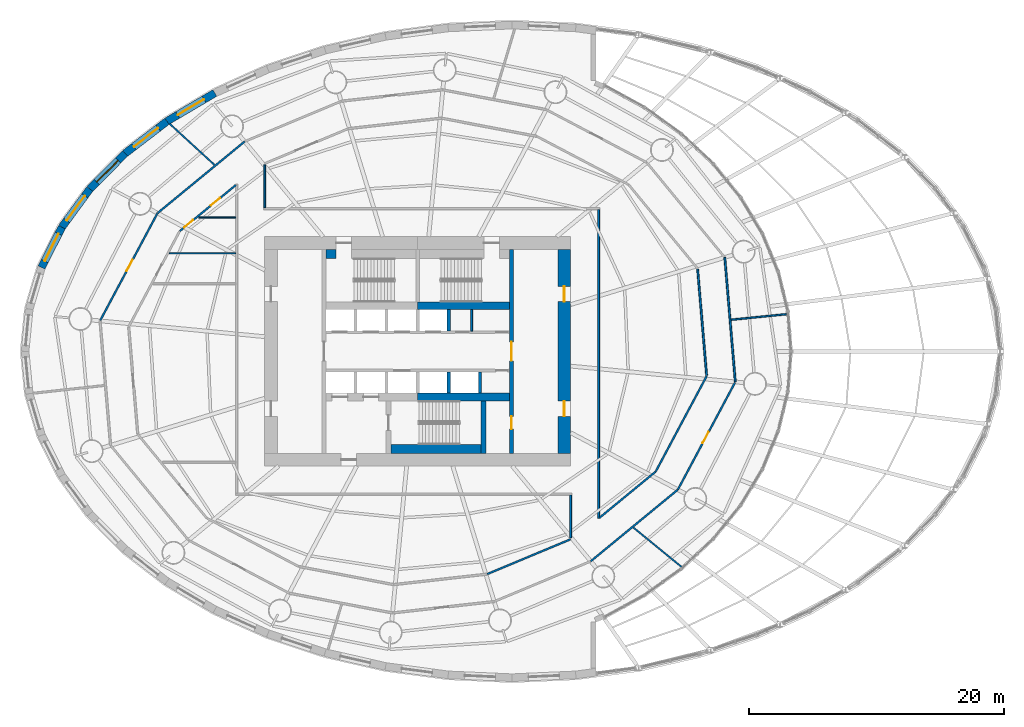
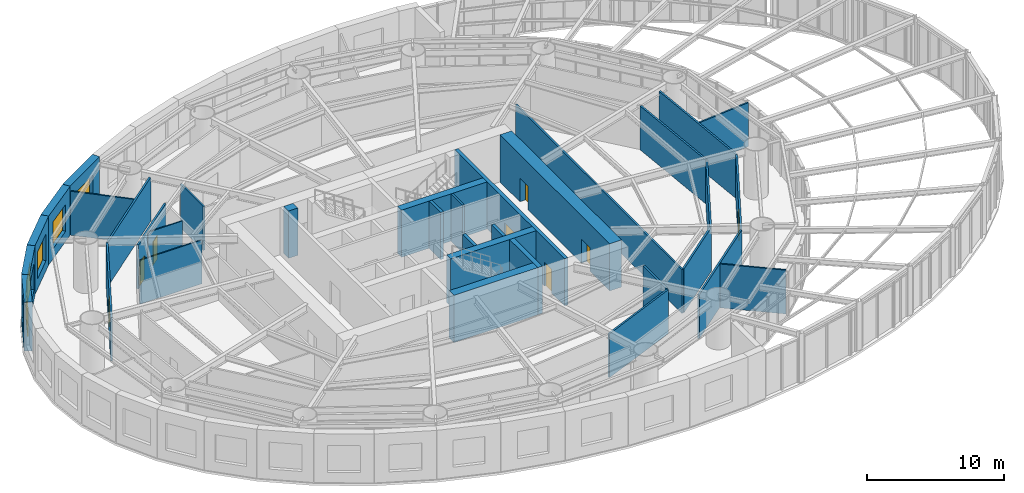
# One storey, part 20 of 23: 34 walls, 8 doors, 5 windows, 13 openings.
"""IFC4 building model written with IfcOpenShell, lengths in metres."""

from ifc_helpers import new_model, si_unit, direction, frame, frame_2d, origin, place, context, subcontext, project, spatial, rectangle, extrude, material, layer, layer_set, type_object, element, fill, save


model = new_model("IFC4")

# Units and contexts
model_context = context("Model", 3, precision=1e-05, world=origin(), true_north=direction((0.0, 1.0)))
body_context = subcontext(model_context, "Body", "Model", "MODEL_VIEW")
ifc_project = project(units=[si_unit("LENGTHUNIT", "METRE"), si_unit("AREAUNIT", "SQUARE_METRE"), si_unit("VOLUMEUNIT", "CUBIC_METRE"), si_unit("PLANEANGLEUNIT", "RADIAN"), si_unit("MASSUNIT", "GRAM", prefix="KILO")], contexts=[model_context])

# Site, building, storey
site_placement = place(None, origin())
site = spatial("IfcSite", under=ifc_project, at=site_placement, CompositionType="ELEMENT")
building_placement = place(site_placement, origin())
building = spatial("IfcBuilding", under=site, at=building_placement, Name="Vermilion Reach Broadcast Tower", CompositionType="ELEMENT")
storey_placement = place(building_placement, frame((0.0, 0.0, 31.5)))
storey = spatial("IfcBuildingStorey", under=building, at=storey_placement, Name="L04", CompositionType="ELEMENT", Elevation=31.5)

# Wall, openings, doors
ifc_material_1 = material(Name="Concrete C70", Category="concrete")
ifc_layer_1 = layer(ifc_material_1, 0.300048828125)
ifc_layer_set_1 = layer_set([ifc_layer_1], Name="Core inner wall 300 mm Concrete C70")
wall_type_1 = type_object("IfcWallType", Name="Core inner wall 300 mm Concrete C70", PredefinedType="SHEAR", material=ifc_layer_set_1)
wall_1_placement = place(storey_placement, frame((1.35009765625, -8.0, 0.0), z_axis=(0.0, 0.0, 1.0), x_axis=(0.0, 1.0, 0.0)))
wall_1 = element("IfcWall", 1, at=wall_1_placement, inside=storey, type_object=wall_type_1, Name="L04 core wall ewE", PredefinedType="SHEAR", context=body_context, shape_type="SweptSolid", body=[
    extrude(rectangle(XDim=16.0, YDim=0.300048828125, at=frame_2d((8.0, 0.0))), origin(), (0.0, 0.0, 1.0), 4.199951171875),
])
opening_1_placement = place(wall_1_placement, frame((1.909912109375, 0.0, 0.0)))
opening_1 = element("IfcOpeningElement", 2, at=opening_1_placement, cuts=wall_1, Name="Opening D05", PredefinedType="OPENING", context=body_context, shape_type="SweptSolid", body=[
    extrude(rectangle(XDim=1.0, YDim=2.10009765625, at=frame_2d((0.5, 1.050048828125))), frame((0.0, 0.159912109375, 0.0), z_axis=(0.0, -1.0, 0.0), x_axis=(1.0, 0.0, 0.0)), (0.0, 0.0, 1.0), 0.320068359375),
])
opening_2_placement = place(wall_1_placement, frame((7.25, 0.0, 0.0)))
opening_2 = element("IfcOpeningElement", 3, at=opening_2_placement, cuts=wall_1, Name="Opening D04", PredefinedType="OPENING", context=body_context, shape_type="SweptSolid", body=[
    extrude(rectangle(XDim=1.5, YDim=2.10009765625, at=frame_2d((0.75, 1.050048828125))), frame((0.0, 0.159912109375, 0.0), z_axis=(0.0, -1.0, 0.0), x_axis=(1.0, 0.0, 0.0)), (0.0, 0.0, 1.0), 0.320068359375),
])
ifc_material_2 = material(Name="Painted steel fire door", Category="steel")
door_type_1 = type_object("IfcDoorType", Name="Lift lobby door 1500 x 2100", OperationType="DOUBLE_DOOR_SINGLE_SWING", PredefinedType="NOTDEFINED", material=ifc_material_2)
door_1_placement = place(opening_2_placement, origin())
door_1 = element("IfcDoor", 4, at=door_1_placement, inside=storey, type_object=door_type_1, Name="L04 band door BE", OperationType="DOUBLE_DOOR_SINGLE_SWING", OverallHeight=2.10009765625, OverallWidth=1.5, PredefinedType="NOTDEFINED", context=body_context, shape_type="SweptSolid", body=[
    extrude(rectangle(XDim=1.5, YDim=2.10009765625, at=frame_2d((0.75, 1.050048828125))), frame((0.0, 0.02490234375, 0.0), z_axis=(0.0, -1.0, 0.0), x_axis=(1.0, 0.0, 0.0)), (0.0, 0.0, 1.0), 0.050048828125),
])
fill(opening_2, door_1)
ifc_material_3 = material(Name="Timber door", Category="wood")
door_type_2 = type_object("IfcDoorType", Name="Room door 1000 x 2100", OperationType="NOTDEFINED", PredefinedType="NOTDEFINED", material=ifc_material_3)
door_2_placement = place(opening_1_placement, origin())
door_2 = element("IfcDoor", 5, at=door_2_placement, inside=storey, type_object=door_type_2, Name="L04 door SER", OperationType="SINGLE_SWING_LEFT", OverallHeight=2.10009765625, OverallWidth=1.0, PredefinedType="NOTDEFINED", context=body_context, shape_type="SweptSolid", body=[
    extrude(rectangle(XDim=1.0, YDim=2.10009765625, at=frame_2d((0.5, 1.050048828125))), frame((0.0, 0.02490234375, 0.0), z_axis=(0.0, -1.0, 0.0), x_axis=(1.0, 0.0, 0.0)), (0.0, 0.0, 1.0), 0.050048828125),
])
fill(opening_1, door_2)

# Walls
ifc_material_4 = material(Name="Concrete C70", Category="concrete")
ifc_layer_2 = layer(ifc_material_4, 0.39990234375)
ifc_layer_set_2 = layer_set([ifc_layer_2], Name="Core inner wall 400 mm Concrete C70")
wall_type_2 = type_object("IfcWallType", Name="Core inner wall 400 mm Concrete C70", PredefinedType="SHEAR", material=ifc_layer_set_2)
wall_2_placement = place(storey_placement, frame((-0.85009765625, -3.8798828125, 0.0), z_axis=(0.0, 0.0, 1.0), x_axis=(0.0, -1.0, 0.0)))
element("IfcWall", 6, at=wall_2_placement, inside=storey, type_object=wall_type_2, Name="L04 core wall wb", PredefinedType="SHEAR", context=body_context, shape_type="SweptSolid", body=[
    extrude(rectangle(XDim=4.1201171875, YDim=0.39990234375, at=frame_2d((2.06005859375, 0.0))), origin(), (0.0, 0.0, 1.0), 4.199951171875),
])
ifc_material_5 = material(Name="Concrete C70", Category="concrete")
ifc_layer_3 = layer(ifc_material_5, 0.60009765625)
ifc_layer_set_3 = layer_set([ifc_layer_3], Name="Core inner wall 600 mm Concrete C70")
wall_type_3 = type_object("IfcWallType", Name="Core inner wall 600 mm Concrete C70", PredefinedType="SHEAR", material=ifc_layer_set_3)
for number, where, z_axis, x_axis, name in (
    (7, (-6.0, 3.580078125, 0.0), (0.0, 0.0, 1.0), (1.0, 0.0, 0.0), "L04 core wall winE"),
    (8, (-6.0, -3.580078125, 0.0), (0.0, 0.0, 1.0), (1.0, 0.0, 0.0), "L04 core wall wisE"),
):
    element("IfcWall", number, at=place(storey_placement, frame(where, z_axis=z_axis, x_axis=x_axis)), inside=storey, type_object=wall_type_3, Name=name, PredefinedType="SHEAR", context=body_context, shape_type="SweptSolid", body=[
        extrude(rectangle(XDim=7.199951171875, YDim=0.60009765625, at=frame_2d((3.60009765625, 0.0))), origin(), (0.0, 0.0, 1.0), 4.199951171875),
    ])

# Wall, openings, doors
ifc_material_6 = material(Name="Concrete C70", Category="concrete")
ifc_layer_4 = layer(ifc_material_6, 1.0)
ifc_layer_set_4 = layer_set([ifc_layer_4], Name="Core outer wall 1000 mm Concrete C70")
wall_type_4 = type_object("IfcWallType", Name="Core outer wall 1000 mm Concrete C70", PredefinedType="SHEAR", material=ifc_layer_set_4)
wall_3_placement = place(storey_placement, frame((5.5, -8.0, 0.0), z_axis=(0.0, 0.0, 1.0), x_axis=(0.0, 1.0, 0.0)))
wall_3 = element("IfcWall", 9, at=wall_3_placement, inside=storey, type_object=wall_type_4, Name="L04 core wall oe", PredefinedType="SHEAR", context=body_context, shape_type="SweptSolid", body=[
    extrude(rectangle(XDim=16.0, YDim=1.0, at=frame_2d((8.0, 0.0))), origin(), (0.0, 0.0, 1.0), 4.199951171875),
])
opening_3_placement = place(wall_3_placement, frame((2.89990234375, 0.0, 0.0)))
opening_3 = element("IfcOpeningElement", 10, at=opening_3_placement, cuts=wall_3, Name="Opening D03", PredefinedType="OPENING", context=body_context, shape_type="SweptSolid", body=[
    extrude(rectangle(XDim=1.199951171875, YDim=2.10009765625, at=frame_2d((0.60009765625, 1.050048828125))), frame((0.0, 0.510009765625, 0.0), z_axis=(0.0, -1.0, 0.0), x_axis=(1.0, 0.0, 0.0)), (0.0, 0.0, 1.0), 1.02001953125),
])
opening_4_placement = place(wall_3_placement, frame((11.89990234375, 0.0, 0.0)))
opening_4 = element("IfcOpeningElement", 11, at=opening_4_placement, cuts=wall_3, Name="Opening D03", PredefinedType="OPENING", context=body_context, shape_type="SweptSolid", body=[
    extrude(rectangle(XDim=1.199951171875, YDim=2.10009765625, at=frame_2d((0.60009765625, 1.050048828125))), frame((0.0, 0.510009765625, 0.0), z_axis=(0.0, -1.0, 0.0), x_axis=(1.0, 0.0, 0.0)), (0.0, 0.0, 1.0), 1.02001953125),
])
ifc_material_7 = material(Name="Painted steel fire door", Category="steel")
door_type_3 = type_object("IfcDoorType", Name="Core lobby door 1200 x 2100", OperationType="DOUBLE_DOOR_SINGLE_SWING", PredefinedType="NOTDEFINED", material=ifc_material_7)
door_3_placement = place(opening_3_placement, origin())
door_3 = element("IfcDoor", 12, at=door_3_placement, inside=storey, type_object=door_type_3, Name="L04 slot door E0", OperationType="DOUBLE_DOOR_SINGLE_SWING", OverallHeight=2.10009765625, OverallWidth=1.199951171875, PredefinedType="NOTDEFINED", context=body_context, shape_type="SweptSolid", body=[
    extrude(rectangle(XDim=1.199951171875, YDim=2.10009765625, at=frame_2d((0.60009765625, 1.050048828125))), frame((0.0, 0.02490234375, 0.0), z_axis=(0.0, -1.0, 0.0), x_axis=(1.0, 0.0, 0.0)), (0.0, 0.0, 1.0), 0.050048828125),
])
fill(opening_3, door_3)
door_4_placement = place(opening_4_placement, origin())
door_4 = element("IfcDoor", 13, at=door_4_placement, inside=storey, type_object=door_type_3, Name="L04 slot door E1", OperationType="DOUBLE_DOOR_SINGLE_SWING", OverallHeight=2.10009765625, OverallWidth=1.199951171875, PredefinedType="NOTDEFINED", context=body_context, shape_type="SweptSolid", body=[
    extrude(rectangle(XDim=1.199951171875, YDim=2.10009765625, at=frame_2d((0.60009765625, 1.050048828125))), frame((0.0, 0.02490234375, 0.0), z_axis=(0.0, -1.0, 0.0), x_axis=(1.0, 0.0, 0.0)), (0.0, 0.0, 1.0), 0.050048828125),
])
fill(opening_4, door_4)

# Walls
ifc_material_8 = material(Name="Masonry block", Category="masonry")
ifc_layer_5 = layer(ifc_material_8, 0.14990234375)
ifc_layer_set_5 = layer_set([ifc_layer_5], Name="Core partition wall 150 mm Masonry block")
wall_type_5 = type_object("IfcWallType", Name="Core partition wall 150 mm Masonry block", PredefinedType="PARTITIONING", material=ifc_layer_set_5)
wall_4_placement = place(storey_placement, frame((-1.765380859375, 1.60009765625, 0.0), z_axis=(0.0, 0.0, 1.0), x_axis=(0.0, 1.0, 0.0)))
element("IfcWall", 14, at=wall_4_placement, inside=storey, type_object=wall_type_5, Name="L04 core wall prN4235", PredefinedType="PARTITIONING", context=body_context, shape_type="SweptSolid", body=[
    extrude(rectangle(XDim=1.679931640625, YDim=0.14990234375, at=frame_2d((0.83984375, 0.0))), origin(), (0.0, 0.0, 1.0), 4.199951171875),
])
ifc_material_9 = material(Name="Concrete C50", Category="concrete")
ifc_layer_6 = layer(ifc_material_9, 0.25)
ifc_layer_set_6 = layer_set([ifc_layer_6], Name="Core shaft wall 250 mm Concrete C50")
wall_type_6 = type_object("IfcWallType", Name="Core shaft wall 250 mm Concrete C50", PredefinedType="SHEAR", material=ifc_layer_set_6)
for number, where, z_axis, x_axis, name in (
    (15, (-3.558349609375, 1.60009765625, 0.0), (0.0, 0.0, 1.0), (0.0, 1.0, 0.0), "L04 core wall psN3"),
    (16, (-3.558349609375, -1.60009765625, 0.0), (0.0, 0.0, 1.0), (0.0, -1.0, 0.0), "L04 core wall psS3"),
    (17, (-1.11669921875, -1.60009765625, 0.0), (0.0, 0.0, 1.0), (0.0, -1.0, 0.0), "L04 core wall psS4"),
):
    element("IfcWall", number, at=place(storey_placement, frame(where, z_axis=z_axis, x_axis=x_axis)), inside=storey, type_object=wall_type_6, Name=name, PredefinedType="SHEAR", context=body_context, shape_type="SweptSolid", body=[
        extrude(rectangle(XDim=1.679931640625, YDim=0.25, at=frame_2d((0.83984375, 0.0))), origin(), (0.0, 0.0, 1.0), 4.199951171875),
    ])
ifc_material_10 = material(Name="Concrete C70", Category="concrete")
ifc_layer_7 = layer(ifc_material_10, 0.699951171875)
ifc_layer_set_7 = layer_set([ifc_layer_7], Name="Core stair wall 700 mm Concrete C70")
wall_type_7 = type_object("IfcWallType", Name="Core stair wall 700 mm Concrete C70", PredefinedType="SHEAR", material=ifc_layer_set_7)
wall_5_placement = place(storey_placement, frame((-13.199951171875, 7.64990234375, 0.0), z_axis=(0.0, 0.0, 1.0), x_axis=(1.0, 0.0, 0.0)))
element("IfcWall", 18, at=wall_5_placement, inside=storey, type_object=wall_type_7, Name="L04 core wall l1a", PredefinedType="SHEAR", context=body_context, shape_type="SweptSolid", body=[
    extrude(rectangle(XDim=0.800048828125, YDim=0.699951171875, at=frame_2d((0.39990234375, 0.0))), origin(), (0.0, 0.0, 1.0), 4.199951171875),
])
wall_6_placement = place(storey_placement, frame((-8.10009765625, -7.64990234375, 0.0), z_axis=(0.0, 0.0, 1.0), x_axis=(1.0, 0.0, 0.0)))
element("IfcWall", 19, at=wall_6_placement, inside=storey, type_object=wall_type_7, Name="L04 core wall l3", PredefinedType="SHEAR", context=body_context, shape_type="SweptSolid", body=[
    extrude(rectangle(XDim=7.050048828125, YDim=0.699951171875, at=frame_2d((3.52490234375, 0.0))), origin(), (0.0, 0.0, 1.0), 4.199951171875),
])
ifc_material_11 = material(Name="Gypsum board partition")
ifc_layer_8 = layer(ifc_material_11, 0.14990234375)
ifc_layer_set_8 = layer_set([ifc_layer_8], Name="Corridor wall 150")
wall_type_8 = type_object("IfcWallType", Name="Corridor wall 150", PredefinedType="PARTITIONING", material=ifc_layer_set_8)
wall_7_placement = place(storey_placement, frame((8.199951171875, -13.10498046875, 0.0), z_axis=(0.0, 0.0, 1.0), x_axis=(0.0, 1.0, 0.0)))
element("IfcWall", 20, at=wall_7_placement, inside=storey, type_object=wall_type_8, Name="sp.wall.L04.001", PredefinedType="PARTITIONING", context=body_context, shape_type="SweptSolid", body=[
    extrude(rectangle(XDim=24.22998046875, YDim=0.14990234375, at=frame_2d((12.114990234375, 0.0))), origin(), (0.0, 0.0, 1.0), 3.89990234375),
])
for number, where, z_axis, x_axis, name in (
    (21, (-18.0, 11.27490234375, 0.0), (0.0, 0.0, 1.0), (0.0, 1.0, 0.0), "sp.wall.L04.004"),
    (22, (6.0, -14.626220703125, 0.0), (0.0, 0.0, 1.0), (0.0, 1.0, 0.0), "sp.wall.L04.005"),
):
    element("IfcWall", number, at=place(storey_placement, frame(where, z_axis=z_axis, x_axis=x_axis)), inside=storey, type_object=wall_type_8, Name=name, PredefinedType="PARTITIONING", context=body_context, shape_type="SweptSolid", body=[
        extrude(rectangle(XDim=3.351318359375, YDim=0.14990234375, at=frame_2d((1.67578125, 0.0))), origin(), (0.0, 0.0, 1.0), 3.89990234375),
    ])
wall_8_placement = place(storey_placement, frame((15.96337890625, 6.450927734375, 0.0), z_axis=(0.0, 0.0, 1.0), x_axis=(0.084487276917, -0.996424558127, 0.0)))
element("IfcWall", 23, at=wall_8_placement, inside=storey, type_object=wall_type_8, Name="sp.wall.L04.011", PredefinedType="PARTITIONING", context=body_context, shape_type="SweptSolid", body=[
    extrude(rectangle(XDim=8.36572265625, YDim=0.14990234375, at=frame_2d((4.182861328125, 0.0))), origin(), (0.0, 0.0, 1.0), 3.89990234375),
])
wall_9_placement = place(storey_placement, frame((12.676025390625, -9.426513671875, 0.0), z_axis=(0.0, 0.0, 1.0), x_axis=(0.470743396375, 0.882270171076, 0.0)))
element("IfcWall", 24, at=wall_9_placement, inside=storey, type_object=wall_type_8, Name="sp.wall.L04.012", PredefinedType="PARTITIONING", context=body_context, shape_type="SweptSolid", body=[
    extrude(rectangle(XDim=8.4931640625, YDim=0.14990234375, at=frame_2d((4.24658203125, 0.0))), origin(), (0.0, 0.0, 1.0), 3.89990234375),
])
wall_10_placement = place(storey_placement, frame((8.2705078125, -13.047119140625, 0.0), z_axis=(0.0, 0.0, 1.0), x_axis=(0.772561089928, 0.634940439986, 0.0)))
element("IfcWall", 25, at=wall_10_placement, inside=storey, type_object=wall_type_8, Name="sp.wall.L04.013", PredefinedType="PARTITIONING", context=body_context, shape_type="SweptSolid", body=[
    extrude(rectangle(XDim=5.671630859375, YDim=0.14990234375, at=frame_2d((2.8359375, 0.0))), origin(), (0.0, 0.0, 1.0), 3.89990234375),
])

# Wall, openings, doors
wall_11_placement = place(storey_placement, frame((-20.2705078125, 13.047119140625, 0.0), z_axis=(0.0, 0.0, 1.0), x_axis=(-0.772561089928, -0.634940439986, 0.0)))
wall_11 = element("IfcWall", 26, at=wall_11_placement, inside=storey, type_object=wall_type_8, Name="sp.wall.L04.015", PredefinedType="PARTITIONING", context=body_context, shape_type="SweptSolid", body=[
    extrude(rectangle(XDim=5.671630859375, YDim=0.14990234375, at=frame_2d((2.8359375, 0.0))), origin(), (0.0, 0.0, 1.0), 3.89990234375),
])
opening_5_placement = place(wall_11_placement, frame((1.601806640625, 0.0, 0.0)))
opening_5 = element("IfcOpeningElement", 27, at=opening_5_placement, cuts=wall_11, Name="Opening D51", PredefinedType="OPENING", context=body_context, shape_type="SweptSolid", body=[
    extrude(rectangle(XDim=0.89990234375, YDim=2.10009765625, at=frame_2d((0.449951171875, 1.050048828125))), frame((0.0, 0.0849609375, 0.0), z_axis=(0.0, -1.0, 0.0), x_axis=(1.0, 0.0, 0.0)), (0.0, 0.0, 1.0), 0.169921875),
])
opening_6_placement = place(wall_11_placement, frame((4.337646484375, 0.0, 0.0)))
opening_6 = element("IfcOpeningElement", 28, at=opening_6_placement, cuts=wall_11, Name="Opening D51", PredefinedType="OPENING", context=body_context, shape_type="SweptSolid", body=[
    extrude(rectangle(XDim=0.89990234375, YDim=2.10009765625, at=frame_2d((0.449951171875, 1.050048828125))), frame((0.0, 0.0849609375, 0.0), z_axis=(0.0, -1.0, 0.0), x_axis=(1.0, 0.0, 0.0)), (0.0, 0.0, 1.0), 0.169921875),
])
ifc_material_12 = material(Name="Timber and steel door set", Category="steel")
door_type_4 = type_object("IfcDoorType", Name="Door 900x2100 WC", OperationType="NOTDEFINED", PredefinedType="DOOR", material=ifc_material_12)
door_5_placement = place(opening_5_placement, origin())
door_5 = element("IfcDoor", 29, at=door_5_placement, inside=storey, type_object=door_type_4, Name="sp.door.L04.001", OperationType="SINGLE_SWING_RIGHT", OverallHeight=2.10009765625, OverallWidth=0.89990234375, PredefinedType="DOOR", context=body_context, shape_type="SweptSolid", body=[
    extrude(rectangle(XDim=0.89990234375, YDim=2.10009765625, at=frame_2d((0.449951171875, 1.050048828125))), frame((0.0, 0.02490234375, 0.0), z_axis=(0.0, -1.0, 0.0), x_axis=(1.0, 0.0, 0.0)), (0.0, 0.0, 1.0), 0.050048828125),
])
fill(opening_5, door_5)
door_6_placement = place(opening_6_placement, origin())
door_6 = element("IfcDoor", 30, at=door_6_placement, inside=storey, type_object=door_type_4, Name="sp.door.L04.002", OperationType="SINGLE_SWING_LEFT", OverallHeight=2.10009765625, OverallWidth=0.89990234375, PredefinedType="DOOR", context=body_context, shape_type="SweptSolid", body=[
    extrude(rectangle(XDim=0.89990234375, YDim=2.10009765625, at=frame_2d((0.449951171875, 1.050048828125))), frame((0.0, 0.02490234375, 0.0), z_axis=(0.0, -1.0, 0.0), x_axis=(1.0, 0.0, 0.0)), (0.0, 0.0, 1.0), 0.050048828125),
])
fill(opening_6, door_6)

# Walls
wall_12_placement = place(storey_placement, frame((-0.533447265625, -17.46630859375, 0.0), z_axis=(0.0, 0.0, 1.0), x_axis=(0.9228124679, 0.38524946345, 0.0)))
element("IfcWall", 31, at=wall_12_placement, inside=storey, type_object=wall_type_8, Name="sp.wall.L04.024", PredefinedType="PARTITIONING", context=body_context, shape_type="SweptSolid", body=[
    extrude(rectangle(XDim=7.079833984375, YDim=0.14990234375, at=frame_2d((3.5400390625, 0.0))), origin(), (0.0, 0.0, 1.0), 3.89990234375),
])
wall_13_placement = place(storey_placement, frame((18.09326171875, 7.37060546875, 0.0), z_axis=(0.0, 0.0, 1.0), x_axis=(0.084469905026, -0.996426030945, 0.0)))
element("IfcWall", 32, at=wall_13_placement, inside=storey, type_object=wall_type_8, Name="sp.wall.L04.029", PredefinedType="PARTITIONING", context=body_context, shape_type="SweptSolid", body=[
    extrude(rectangle(XDim=9.80078125, YDim=0.14990234375, at=frame_2d((4.900390625, 0.0))), origin(), (0.0, 0.0, 1.0), 3.89990234375),
])
wall_14_placement = place(storey_placement, frame((-26.38720703125, 10.867919921875, 0.0), z_axis=(0.0, 0.0, 1.0), x_axis=(0.772575830308, 0.634922504266, 0.0)))
element("IfcWall", 33, at=wall_14_placement, inside=storey, type_object=wall_type_8, Name="sp.wall.L04.036", PredefinedType="PARTITIONING", context=body_context, shape_type="SweptSolid", body=[
    extrude(rectangle(XDim=8.814697265625, YDim=0.14990234375, at=frame_2d((4.4072265625, 0.0))), origin(), (0.0, 0.0, 1.0), 3.89990234375),
])

# Wall, opening, door
wall_15_placement = place(storey_placement, frame((-26.4111328125, 10.84814453125, 0.0), z_axis=(0.0, 0.0, 1.0), x_axis=(-0.470742429837, -0.88227068678, 0.0)))
wall_15 = element("IfcWall", 34, at=wall_15_placement, inside=storey, type_object=wall_type_8, Name="sp.wall.L04.038", PredefinedType="PARTITIONING", context=body_context, shape_type="SweptSolid", body=[
    extrude(rectangle(XDim=9.532470703125, YDim=0.14990234375, at=frame_2d((4.76611328125, 0.0))), origin(), (0.0, 0.0, 1.0), 3.89990234375),
])
opening_7_placement = place(wall_15_placement, frame((4.139892578125, 0.0, 0.0)))
opening_7 = element("IfcOpeningElement", 35, at=opening_7_placement, cuts=wall_15, Name="Opening D50", PredefinedType="OPENING", context=body_context, shape_type="SweptSolid", body=[
    extrude(rectangle(XDim=1.0, YDim=2.10009765625, at=frame_2d((0.5, 1.050048828125))), frame((0.0, 0.0849609375, 0.0), z_axis=(0.0, -1.0, 0.0), x_axis=(1.0, 0.0, 0.0)), (0.0, 0.0, 1.0), 0.169921875),
])
ifc_material_13 = material(Name="Timber and steel door set", Category="steel")
door_type_5 = type_object("IfcDoorType", Name="Door 1000x2100", OperationType="NOTDEFINED", PredefinedType="DOOR", material=ifc_material_13)
door_7_placement = place(opening_7_placement, origin())
door_7 = element("IfcDoor", 36, at=door_7_placement, inside=storey, type_object=door_type_5, Name="sp.door.L04.008", OperationType="SINGLE_SWING_LEFT", OverallHeight=2.10009765625, OverallWidth=1.0, PredefinedType="DOOR", context=body_context, shape_type="SweptSolid", body=[
    extrude(rectangle(XDim=1.0, YDim=2.10009765625, at=frame_2d((0.5, 1.050048828125))), frame((0.0, 0.02490234375, 0.0), z_axis=(0.0, -1.0, 0.0), x_axis=(1.0, 0.0, 0.0)), (0.0, 0.0, 1.0), 0.050048828125),
])
fill(opening_7, door_7)

# Wall
wall_16_placement = place(storey_placement, frame((7.5771484375, -16.464599609375, 0.0), z_axis=(0.0, 0.0, 1.0), x_axis=(0.772575830308, 0.634922504266, 0.0)))
element("IfcWall", 37, at=wall_16_placement, inside=storey, type_object=wall_type_8, Name="sp.wall.L04.046", PredefinedType="PARTITIONING", context=body_context, shape_type="SweptSolid", body=[
    extrude(rectangle(XDim=8.814697265625, YDim=0.14990234375, at=frame_2d((4.4072265625, 0.0))), origin(), (0.0, 0.0, 1.0), 3.89990234375),
])

# Wall, opening, door
wall_17_placement = place(storey_placement, frame((14.4111328125, -10.84814453125, 0.0), z_axis=(0.0, 0.0, 1.0), x_axis=(0.470742429837, 0.88227068678, 0.0)))
wall_17 = element("IfcWall", 38, at=wall_17_placement, inside=storey, type_object=wall_type_8, Name="sp.wall.L04.047", PredefinedType="PARTITIONING", context=body_context, shape_type="SweptSolid", body=[
    extrude(rectangle(XDim=9.532470703125, YDim=0.14990234375, at=frame_2d((4.76611328125, 0.0))), origin(), (0.0, 0.0, 1.0), 3.89990234375),
])
opening_8_placement = place(wall_17_placement, frame((4.139892578125, 0.0, 0.0)))
opening_8 = element("IfcOpeningElement", 39, at=opening_8_placement, cuts=wall_17, Name="Opening D50", PredefinedType="OPENING", context=body_context, shape_type="SweptSolid", body=[
    extrude(rectangle(XDim=1.0, YDim=2.10009765625, at=frame_2d((0.5, 1.050048828125))), frame((0.0, 0.0849609375, 0.0), z_axis=(0.0, -1.0, 0.0), x_axis=(1.0, 0.0, 0.0)), (0.0, 0.0, 1.0), 0.169921875),
])
door_8_placement = place(opening_8_placement, origin())
door_8 = element("IfcDoor", 40, at=door_8_placement, inside=storey, type_object=door_type_5, Name="sp.door.L04.011", OperationType="SINGLE_SWING_LEFT", OverallHeight=2.10009765625, OverallWidth=1.0, PredefinedType="DOOR", context=body_context, shape_type="SweptSolid", body=[
    extrude(rectangle(XDim=1.0, YDim=2.10009765625, at=frame_2d((0.5, 1.050048828125))), frame((0.0, 0.02490234375, 0.0), z_axis=(0.0, -1.0, 0.0), x_axis=(1.0, 0.0, 0.0)), (0.0, 0.0, 1.0), 0.050048828125),
])
fill(opening_8, door_8)

# Walls
ifc_material_14 = material(Name="Gypsum board partition")
ifc_layer_9 = layer(ifc_material_14, 0.125)
ifc_layer_set_9 = layer_set([ifc_layer_9], Name="Partition 125 plasterboard")
wall_type_9 = type_object("IfcWallType", Name="Partition 125 plasterboard", PredefinedType="PARTITIONING", material=ifc_layer_set_9)
wall_18_placement = place(storey_placement, frame((18.584228515625, 2.479736328125, 0.0), z_axis=(0.0, 0.0, 1.0), x_axis=(0.994950329661, 0.100368528474, 0.0)))
element("IfcWall", 41, at=wall_18_placement, inside=storey, type_object=wall_type_9, Name="sp.wall.L04.028", PredefinedType="PARTITIONING", context=body_context, shape_type="SweptSolid", body=[
    extrude(rectangle(XDim=4.38818359375, YDim=0.125, at=frame_2d((2.194091796875, 0.0))), origin(), (0.0, 0.0, 1.0), 3.89990234375),
])
wall_19_placement = place(storey_placement, frame((-25.440185546875, 17.84130859375, 0.0), z_axis=(0.0, 0.0, 1.0), x_axis=(0.736761384667, -0.676152839278, 0.0)))
element("IfcWall", 42, at=wall_19_placement, inside=storey, type_object=wall_type_9, Name="sp.wall.L04.033", PredefinedType="PARTITIONING", context=body_context, shape_type="SweptSolid", body=[
    extrude(rectangle(XDim=4.749267578125, YDim=0.125, at=frame_2d((2.37451171875, 0.0))), origin(), (0.0, 0.0, 1.0), 3.89990234375),
])
wall_20_placement = place(storey_placement, frame((10.9267578125, -13.82470703125, 0.0), z_axis=(0.0, 0.0, 1.0), x_axis=(0.774480098596, -0.632598274483, 0.0)))
element("IfcWall", 43, at=wall_20_placement, inside=storey, type_object=wall_type_9, Name="sp.wall.L04.043", PredefinedType="PARTITIONING", context=body_context, shape_type="SweptSolid", body=[
    extrude(rectangle(XDim=4.8662109375, YDim=0.125, at=frame_2d((2.43310546875, 0.0))), origin(), (0.0, 0.0, 1.0), 3.89990234375),
])

# Wall, opening, window
ifc_material_15 = material(Name="Precast concrete C40/50 with acoustic cladding", Category="concrete")
ifc_layer_10 = layer(ifc_material_15, 0.60009765625)
ifc_layer_set_10 = layer_set([ifc_layer_10], Name="Podium acoustic wall 600")
wall_type_10 = type_object("IfcWallType", Name="Podium acoustic wall 600", PredefinedType="SOLIDWALL", material=ifc_layer_set_10)
wall_21_placement = place(storey_placement, frame((-21.91455078125, 20.271728515625, 0.0), z_axis=(0.0, 0.0, 1.0), x_axis=(-0.861017868942, -0.508574703818, 0.0)))
wall_21 = element("IfcWall", 44, at=wall_21_placement, inside=storey, type_object=wall_type_10, Name="Podium wall L04 str07", PredefinedType="SOLIDWALL", context=body_context, shape_type="SweptSolid", body=[
    extrude(rectangle(XDim=4.36279296875, YDim=0.60009765625, at=frame_2d((2.181396484375, 0.0))), origin(), (0.0, 0.0, 1.0), 4.35009765625),
])
opening_9_placement = place(wall_21_placement, frame((0.9814453125, 0.0, 0.89990234375)))
opening_9 = element("IfcOpeningElement", 45, at=opening_9_placement, cuts=wall_21, Name="Opening W12", PredefinedType="OPENING", context=body_context, shape_type="SweptSolid", body=[
    extrude(rectangle(XDim=2.39990234375, YDim=2.39990234375, at=frame_2d((1.199951171875, 1.199951171875))), frame((0.0, 0.31005859375, 0.0), z_axis=(0.0, -1.0, 0.0), x_axis=(1.0, 0.0, 0.0)), (0.0, 0.0, 1.0), 0.6201171875),
])
ifc_material_16 = material(Name="Low-e laminated clear glass in aluminium frame", Category="aluminium")
window_type = type_object("IfcWindowType", Name="Newsroom window 2400 x 2400", PartitioningType="SINGLE_PANEL", PredefinedType="WINDOW", material=ifc_material_16)
window_1_placement = place(opening_9_placement, origin())
window_1 = element("IfcWindow", 46, at=window_1_placement, inside=storey, type_object=window_type, Name="Window L04 07", OverallHeight=2.39990234375, OverallWidth=2.39990234375, PartitioningType="SINGLE_PANEL", PredefinedType="WINDOW", context=body_context, shape_type="SweptSolid", body=[
    extrude(rectangle(XDim=2.39990234375, YDim=2.39990234375, at=frame_2d((1.199951171875, 1.199951171875))), frame((0.0, 0.030029296875, 0.0), z_axis=(0.0, -1.0, 0.0), x_axis=(1.0, 0.0, 0.0)), (0.0, 0.0, 1.0), 0.06005859375),
])
fill(opening_9, window_1)

wall_22_placement = place(storey_placement, frame((-25.6708984375, 18.052978515625, 0.0), z_axis=(0.0, 0.0, 1.0), x_axis=(-0.793065901338, -0.609135843745, 0.0)))
wall_22 = element("IfcWall", 47, at=wall_22_placement, inside=storey, type_object=wall_type_10, Name="Podium wall L04 str08", PredefinedType="SOLIDWALL", context=body_context, shape_type="SweptSolid", body=[
    extrude(rectangle(XDim=4.146728515625, YDim=0.60009765625, at=frame_2d((2.0732421875, 0.0))), origin(), (0.0, 0.0, 1.0), 4.35009765625),
])
opening_10_placement = place(wall_22_placement, frame((0.873291015625, 0.0, 0.89990234375)))
opening_10 = element("IfcOpeningElement", 48, at=opening_10_placement, cuts=wall_22, Name="Opening W12", PredefinedType="OPENING", context=body_context, shape_type="SweptSolid", body=[
    extrude(rectangle(XDim=2.39990234375, YDim=2.39990234375, at=frame_2d((1.199951171875, 1.199951171875))), frame((0.0, 0.31005859375, 0.0), z_axis=(0.0, -1.0, 0.0), x_axis=(1.0, 0.0, 0.0)), (0.0, 0.0, 1.0), 0.6201171875),
])
window_2_placement = place(opening_10_placement, origin())
window_2 = element("IfcWindow", 49, at=window_2_placement, inside=storey, type_object=window_type, Name="Window L04 08", OverallHeight=2.39990234375, OverallWidth=2.39990234375, PartitioningType="SINGLE_PANEL", PredefinedType="WINDOW", context=body_context, shape_type="SweptSolid", body=[
    extrude(rectangle(XDim=2.39990234375, YDim=2.39990234375, at=frame_2d((1.199951171875, 1.199951171875))), frame((0.0, 0.030029296875, 0.0), z_axis=(0.0, -1.0, 0.0), x_axis=(1.0, 0.0, 0.0)), (0.0, 0.0, 1.0), 0.06005859375),
])
fill(opening_10, window_2)

wall_23_placement = place(storey_placement, frame((-28.95947265625, 15.527099609375, 0.0), z_axis=(0.0, 0.0, 1.0), x_axis=(-0.704303183564, -0.709899306678, 0.0)))
wall_23 = element("IfcWall", 50, at=wall_23_placement, inside=storey, type_object=wall_type_10, Name="Podium wall L04 str09", PredefinedType="SOLIDWALL", context=body_context, shape_type="SweptSolid", body=[
    extrude(rectangle(XDim=3.926513671875, YDim=0.60009765625, at=frame_2d((1.96337890625, 0.0))), origin(), (0.0, 0.0, 1.0), 4.35009765625),
])
opening_11_placement = place(wall_23_placement, frame((0.76318359375, 0.0, 0.89990234375)))
opening_11 = element("IfcOpeningElement", 51, at=opening_11_placement, cuts=wall_23, Name="Opening W12", PredefinedType="OPENING", context=body_context, shape_type="SweptSolid", body=[
    extrude(rectangle(XDim=2.39990234375, YDim=2.39990234375, at=frame_2d((1.199951171875, 1.199951171875))), frame((0.0, 0.31005859375, 0.0), z_axis=(0.0, -1.0, 0.0), x_axis=(1.0, 0.0, 0.0)), (0.0, 0.0, 1.0), 0.6201171875),
])
window_3_placement = place(opening_11_placement, origin())
window_3 = element("IfcWindow", 52, at=window_3_placement, inside=storey, type_object=window_type, Name="Window L04 09", OverallHeight=2.39990234375, OverallWidth=2.39990234375, PartitioningType="SINGLE_PANEL", PredefinedType="WINDOW", context=body_context, shape_type="SweptSolid", body=[
    extrude(rectangle(XDim=2.39990234375, YDim=2.39990234375, at=frame_2d((1.199951171875, 1.199951171875))), frame((0.0, 0.030029296875, 0.0), z_axis=(0.0, -1.0, 0.0), x_axis=(1.0, 0.0, 0.0)), (0.0, 0.0, 1.0), 0.06005859375),
])
fill(opening_11, window_3)

wall_24_placement = place(storey_placement, frame((-31.724853515625, 12.73974609375, 0.0), z_axis=(0.0, 0.0, 1.0), x_axis=(-0.59073426953, -0.806866174035, 0.0)))
wall_24 = element("IfcWall", 53, at=wall_24_placement, inside=storey, type_object=wall_type_10, Name="Podium wall L04 str10", PredefinedType="SOLIDWALL", context=body_context, shape_type="SweptSolid", body=[
    extrude(rectangle(XDim=3.717529296875, YDim=0.60009765625, at=frame_2d((1.85888671875, 0.0))), origin(), (0.0, 0.0, 1.0), 4.35009765625),
])
opening_12_placement = place(wall_24_placement, frame((0.65869140625, 0.0, 0.89990234375)))
opening_12 = element("IfcOpeningElement", 54, at=opening_12_placement, cuts=wall_24, Name="Opening W12", PredefinedType="OPENING", context=body_context, shape_type="SweptSolid", body=[
    extrude(rectangle(XDim=2.39990234375, YDim=2.39990234375, at=frame_2d((1.199951171875, 1.199951171875))), frame((0.0, 0.31005859375, 0.0), z_axis=(0.0, -1.0, 0.0), x_axis=(1.0, 0.0, 0.0)), (0.0, 0.0, 1.0), 0.6201171875),
])
window_4_placement = place(opening_12_placement, origin())
window_4 = element("IfcWindow", 55, at=window_4_placement, inside=storey, type_object=window_type, Name="Window L04 10", OverallHeight=2.39990234375, OverallWidth=2.39990234375, PartitioningType="SINGLE_PANEL", PredefinedType="WINDOW", context=body_context, shape_type="SweptSolid", body=[
    extrude(rectangle(XDim=2.39990234375, YDim=2.39990234375, at=frame_2d((1.199951171875, 1.199951171875))), frame((0.0, 0.030029296875, 0.0), z_axis=(0.0, -1.0, 0.0), x_axis=(1.0, 0.0, 0.0)), (0.0, 0.0, 1.0), 0.06005859375),
])
fill(opening_12, window_4)

wall_25_placement = place(storey_placement, frame((-33.9208984375, 9.740234375, 0.0), z_axis=(0.0, 0.0, 1.0), x_axis=(-0.450137579264, -0.892959215045, 0.0)))
wall_25 = element("IfcWall", 56, at=wall_25_placement, inside=storey, type_object=wall_type_10, Name="Podium wall L04 str11", PredefinedType="SOLIDWALL", context=body_context, shape_type="SweptSolid", body=[
    extrude(rectangle(XDim=3.537353515625, YDim=0.60009765625, at=frame_2d((1.7685546875, 0.0))), origin(), (0.0, 0.0, 1.0), 4.35009765625),
])
opening_13_placement = place(wall_25_placement, frame((0.568603515625, 0.0, 0.89990234375)))
opening_13 = element("IfcOpeningElement", 57, at=opening_13_placement, cuts=wall_25, Name="Opening W12", PredefinedType="OPENING", context=body_context, shape_type="SweptSolid", body=[
    extrude(rectangle(XDim=2.39990234375, YDim=2.39990234375, at=frame_2d((1.199951171875, 1.199951171875))), frame((0.0, 0.31005859375, 0.0), z_axis=(0.0, -1.0, 0.0), x_axis=(1.0, 0.0, 0.0)), (0.0, 0.0, 1.0), 0.6201171875),
])
window_5_placement = place(opening_13_placement, origin())
window_5 = element("IfcWindow", 58, at=window_5_placement, inside=storey, type_object=window_type, Name="Window L04 11", OverallHeight=2.39990234375, OverallWidth=2.39990234375, PartitioningType="SINGLE_PANEL", PredefinedType="WINDOW", context=body_context, shape_type="SweptSolid", body=[
    extrude(rectangle(XDim=2.39990234375, YDim=2.39990234375, at=frame_2d((1.199951171875, 1.199951171875))), frame((0.0, 0.030029296875, 0.0), z_axis=(0.0, -1.0, 0.0), x_axis=(1.0, 0.0, 0.0)), (0.0, 0.0, 1.0), 0.06005859375),
])
fill(opening_13, window_5)

# Walls
ifc_material_17 = material(Name="Gypsum board partition")
ifc_layer_11 = layer(ifc_material_17, 0.10009765625)
ifc_layer_set_11 = layer_set([ifc_layer_11], Name="WC partition 100")
wall_type_11 = type_object("IfcWallType", Name="WC partition 100", PredefinedType="PARTITIONING", material=ifc_layer_set_11)
wall_26_placement = place(storey_placement, frame((-23.184814453125, 10.505126953125, 0.0), z_axis=(0.0, 0.0, 1.0), x_axis=(1.0, 0.0, 0.0)))
element("IfcWall", 59, at=wall_26_placement, inside=storey, type_object=wall_type_11, Name="sp.wall.L04.014", PredefinedType="PARTITIONING", context=body_context, shape_type="SweptSolid", body=[
    extrude(rectangle(XDim=2.909912109375, YDim=0.10009765625, at=frame_2d((1.455078125, 0.0))), origin(), (0.0, 0.0, 1.0), 3.89990234375),
])
wall_27_placement = place(storey_placement, frame((-25.48291015625, 7.705078125, 0.0), z_axis=(0.0, 0.0, 1.0), x_axis=(1.0, 0.0, 0.0)))
element("IfcWall", 60, at=wall_27_placement, inside=storey, type_object=wall_type_11, Name="sp.wall.L04.016", PredefinedType="PARTITIONING", context=body_context, shape_type="SweptSolid", body=[
    extrude(rectangle(XDim=5.2080078125, YDim=0.10009765625, at=frame_2d((2.60400390625, 0.0))), origin(), (0.0, 0.0, 1.0), 3.89990234375),
])

save(model, "model.ifc")
